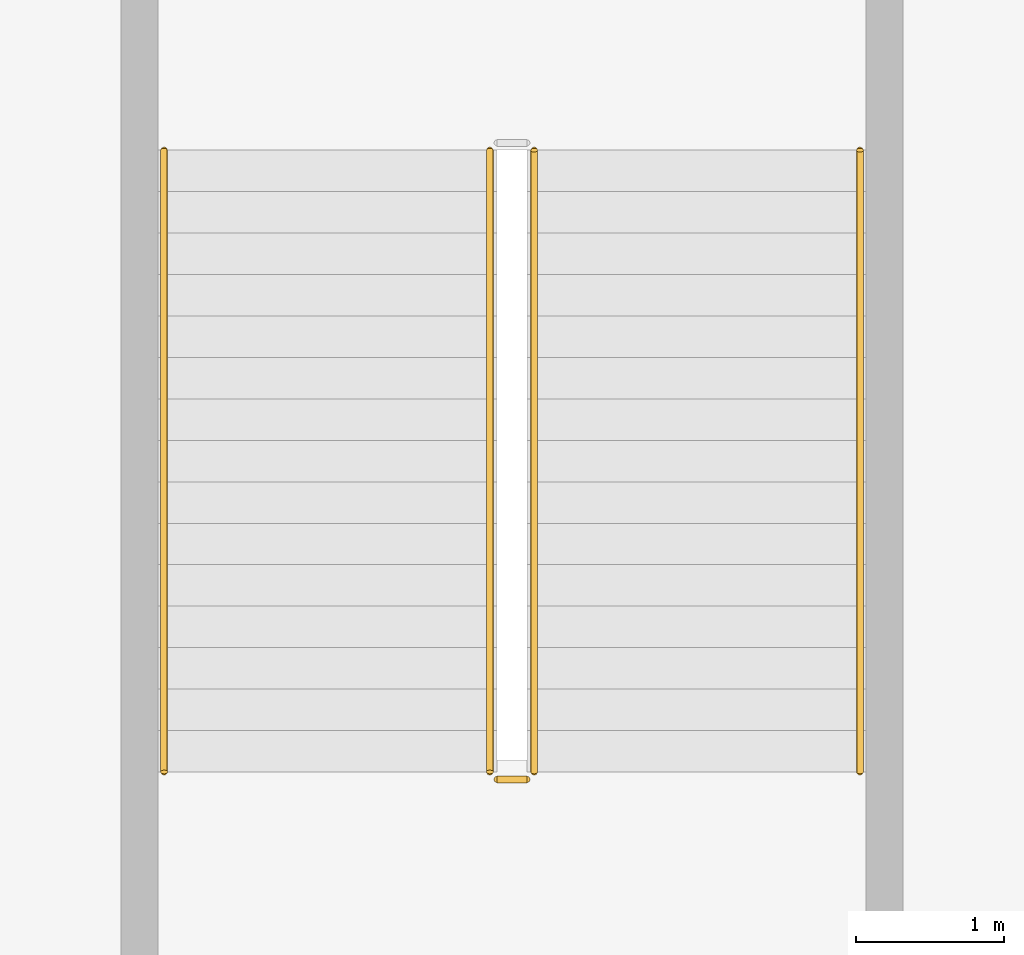
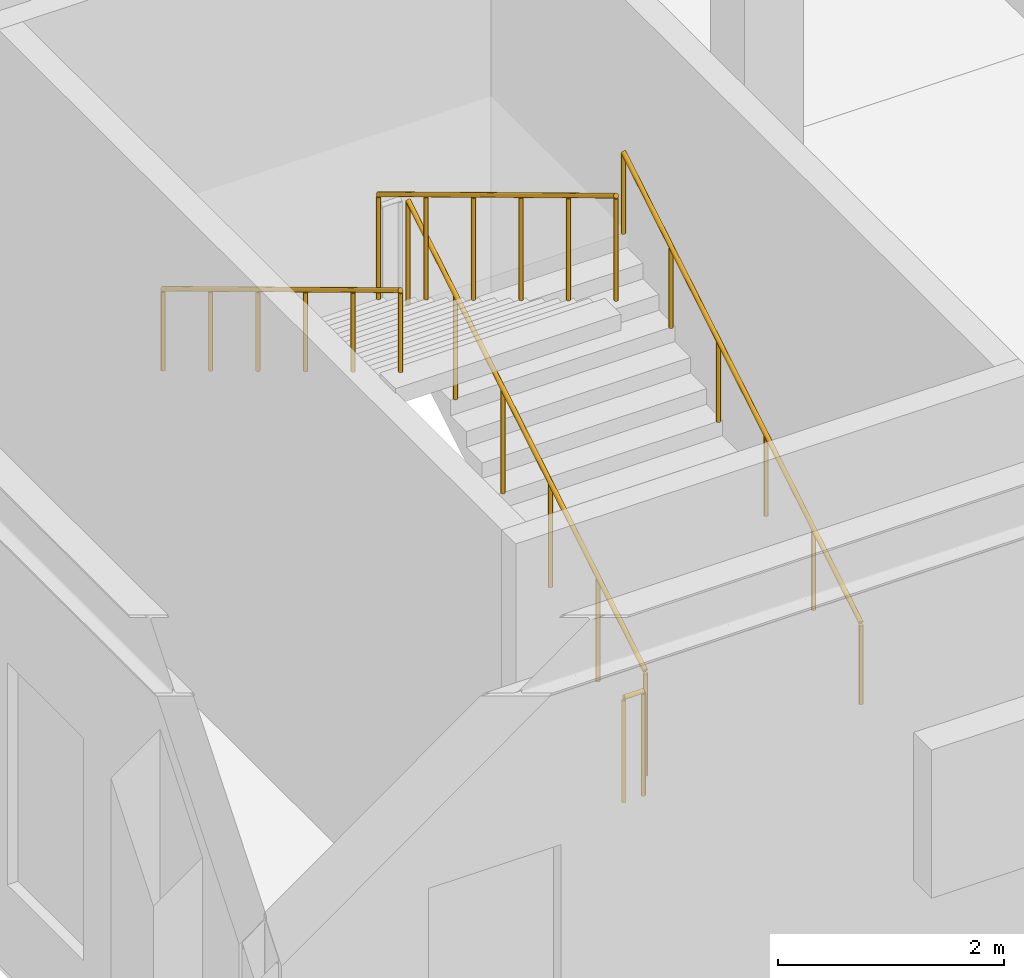
# One storey, part 94 of 105: 5 railings.
"""IFC4 building model written with IfcOpenShell, lengths in metres."""

from ifc_helpers import new_model, si_unit, direction, frame, origin, origin_2d, place, context, subcontext, project, spatial, circle, extrude, material, layer, layer_set, type_object, element, save


model = new_model("IFC4")

# Units and contexts
model_context = context("Model", 3, precision=1e-05, world=origin(), true_north=direction((0.0, 1.0)))
body_context = subcontext(model_context, "Body", "Model", "MODEL_VIEW")
ifc_project = project(units=[si_unit("LENGTHUNIT", "METRE"), si_unit("AREAUNIT", "SQUARE_METRE"), si_unit("VOLUMEUNIT", "CUBIC_METRE"), si_unit("PLANEANGLEUNIT", "RADIAN"), si_unit("MASSUNIT", "GRAM", prefix="KILO")], contexts=[model_context])

# Site, building, storey
site_placement = place(None, origin())
site = spatial("IfcSite", under=ifc_project, at=site_placement, CompositionType="ELEMENT")
building_placement = place(site_placement, origin())
building = spatial("IfcBuilding", under=site, at=building_placement, Name="Kazenohara Klinker Stadium", CompositionType="ELEMENT")
storey_placement = place(building_placement, frame((0.0, 0.0, 20.39990234375)))
storey = spatial("IfcBuildingStorey", under=building, at=storey_placement, Name="L04", CompositionType="ELEMENT", Elevation=20.39990234375)

# Railings
ifc_material_1 = material(Name="Brushed stainless steel 304 handrail", Category="steel")
ifc_layer_1 = layer(ifc_material_1, 0.050048828125)
ifc_layer_set_1 = layer_set([ifc_layer_1], Name="Brushed stainless steel 304 handrail")
railing_type_1 = type_object("IfcRailingType", Name="RL-HND-900", PredefinedType="HANDRAIL", material=ifc_layer_set_1)
railing_1_placement = place(storey_placement, frame((8.35009765625, 135.840087890625, 0.1689453125)))
element("IfcRailing", 1, at=railing_1_placement, inside=storey, type_object=railing_type_1, Name="L04 ST05 stair handrail 1", PredefinedType="HANDRAIL", context=body_context, shape_type="SweptSolid", body=[
    extrude(circle(Radius=0.02392578125, at=origin_2d()), frame((0.0, 0.0, 0.8759765625), z_axis=(0.0, 0.856476492594, 0.516186030065), x_axis=(-1.0, 0.0, 0.0)), (0.0, 0.0, 1.0), 4.90380859375),
    extrude(circle(Radius=0.02099609375, at=origin_2d()), origin(), (0.0, 0.0, 1.0), 0.851806640625),
    extrude(circle(Radius=0.02099609375, at=origin_2d()), frame((0.0, 0.840087890625, 0.50634765625)), (0.0, 0.0, 1.0), 0.851806640625),
    extrude(circle(Radius=0.02099609375, at=origin_2d()), frame((0.0, 1.679931640625, 1.012451171875)), (0.0, 0.0, 1.0), 0.851806640625),
    extrude(circle(Radius=0.02099609375, at=origin_2d()), frame((0.0, 2.52001953125, 1.518798828125)), (0.0, 0.0, 1.0), 0.851806640625),
    extrude(circle(Radius=0.02099609375, at=origin_2d()), frame((0.0, 3.35986328125, 2.02490234375)), (0.0, 0.0, 1.0), 0.851806640625),
    extrude(circle(Radius=0.02099609375, at=origin_2d()), frame((0.0, 4.199951171875, 2.53125)), (0.0, 0.0, 1.0), 0.851806640625),
])
railing_2_placement = place(storey_placement, frame((3.64990234375, 140.0400390625, 2.868896484375)))
element("IfcRailing", 2, at=railing_2_placement, inside=storey, type_object=railing_type_1, Name="L04 ST05 stair handrail 2", PredefinedType="HANDRAIL", context=body_context, shape_type="SweptSolid", body=[
    extrude(circle(Radius=0.02392578125, at=origin_2d()), frame((0.0, 0.0, 0.8759765625), z_axis=(0.0, -0.856476492594, 0.516186030065), x_axis=(1.0, 0.0, 0.0)), (0.0, 0.0, 1.0), 4.90380859375),
    extrude(circle(Radius=0.02099609375, at=origin_2d()), origin(), (0.0, 0.0, 1.0), 0.851806640625),
    extrude(circle(Radius=0.02099609375, at=origin_2d()), frame((0.0, -0.840087890625, 0.50634765625)), (0.0, 0.0, 1.0), 0.851806640625),
    extrude(circle(Radius=0.02099609375, at=origin_2d()), frame((0.0, -1.679931640625, 1.012451171875)), (0.0, 0.0, 1.0), 0.851806640625),
    extrude(circle(Radius=0.02099609375, at=origin_2d()), frame((0.0, -2.52001953125, 1.518798828125)), (0.0, 0.0, 1.0), 0.851806640625),
    extrude(circle(Radius=0.02099609375, at=origin_2d()), frame((0.0, -3.35986328125, 2.02490234375)), (0.0, 0.0, 1.0), 0.851806640625),
    extrude(circle(Radius=0.02099609375, at=origin_2d()), frame((0.0, -4.199951171875, 2.53125)), (0.0, 0.0, 1.0), 0.851806640625),
])
ifc_material_2 = material(Name="Painted steel stairwell guardrail", Category="steel")
ifc_layer_2 = layer(ifc_material_2, 0.06005859375)
ifc_layer_set_2 = layer_set([ifc_layer_2], Name="Painted steel stairwell guardrail")
railing_type_2 = type_object("IfcRailingType", Name="RL-STG-1120", PredefinedType="GUARDRAIL", material=ifc_layer_set_2)
railing_3_placement = place(storey_placement, frame((6.14990234375, 135.840087890625, 0.1689453125)))
element("IfcRailing", 3, at=railing_3_placement, inside=storey, type_object=railing_type_2, Name="L04 ST05 stair guard 1", PredefinedType="GUARDRAIL", context=body_context, shape_type="SweptSolid", body=[
    extrude(circle(Radius=0.02392578125, at=origin_2d()), frame((0.0, 0.0, 1.1259765625), z_axis=(0.0, 0.856476492594, 0.516186030065), x_axis=(-1.0, 0.0, 0.0)), (0.0, 0.0, 1.0), 4.90380859375),
    extrude(circle(Radius=0.02099609375, at=origin_2d()), origin(), (0.0, 0.0, 1.0), 1.101806640625),
    extrude(circle(Radius=0.02099609375, at=origin_2d()), frame((0.0, 0.840087890625, 0.50634765625)), (0.0, 0.0, 1.0), 1.101806640625),
    extrude(circle(Radius=0.02099609375, at=origin_2d()), frame((0.0, 1.679931640625, 1.012451171875)), (0.0, 0.0, 1.0), 1.101806640625),
    extrude(circle(Radius=0.02099609375, at=origin_2d()), frame((0.0, 2.52001953125, 1.518798828125)), (0.0, 0.0, 1.0), 1.101806640625),
    extrude(circle(Radius=0.02099609375, at=origin_2d()), frame((0.0, 3.35986328125, 2.02490234375)), (0.0, 0.0, 1.0), 1.101806640625),
    extrude(circle(Radius=0.02099609375, at=origin_2d()), frame((0.0, 4.199951171875, 2.53125)), (0.0, 0.0, 1.0), 1.101806640625),
])
railing_4_placement = place(storey_placement, frame((5.85009765625, 140.0400390625, 2.868896484375)))
element("IfcRailing", 4, at=railing_4_placement, inside=storey, type_object=railing_type_2, Name="L04 ST05 stair guard 3", PredefinedType="GUARDRAIL", context=body_context, shape_type="SweptSolid", body=[
    extrude(circle(Radius=0.02392578125, at=origin_2d()), frame((0.0, 0.0, 1.1259765625), z_axis=(0.0, -0.856476492594, 0.516186030065), x_axis=(1.0, 0.0, 0.0)), (0.0, 0.0, 1.0), 4.90380859375),
    extrude(circle(Radius=0.02099609375, at=origin_2d()), origin(), (0.0, 0.0, 1.0), 1.101806640625),
    extrude(circle(Radius=0.02099609375, at=origin_2d()), frame((0.0, -0.840087890625, 0.50634765625)), (0.0, 0.0, 1.0), 1.101806640625),
    extrude(circle(Radius=0.02099609375, at=origin_2d()), frame((0.0, -1.679931640625, 1.012451171875)), (0.0, 0.0, 1.0), 1.101806640625),
    extrude(circle(Radius=0.02099609375, at=origin_2d()), frame((0.0, -2.52001953125, 1.518798828125)), (0.0, 0.0, 1.0), 1.101806640625),
    extrude(circle(Radius=0.02099609375, at=origin_2d()), frame((0.0, -3.35986328125, 2.02490234375)), (0.0, 0.0, 1.0), 1.101806640625),
    extrude(circle(Radius=0.02099609375, at=origin_2d()), frame((0.0, -4.199951171875, 2.53125)), (0.0, 0.0, 1.0), 1.101806640625),
])
railing_5_placement = place(storey_placement, frame((6.10009765625, 135.7900390625, 0.0)))
element("IfcRailing", 5, at=railing_5_placement, inside=storey, type_object=railing_type_2, Name="L04 ST05 stair guard 4", PredefinedType="GUARDRAIL", context=body_context, shape_type="SweptSolid", body=[
    extrude(circle(Radius=0.02392578125, at=origin_2d()), frame((0.0, 0.0, 1.1259765625), z_axis=(-1.0, 0.0, 0.0), x_axis=(0.0, -1.0, 0.0)), (0.0, 0.0, 1.0), 0.2001953125),
    extrude(circle(Radius=0.02099609375, at=origin_2d()), origin(), (0.0, 0.0, 1.0), 1.101806640625),
    extrude(circle(Radius=0.02099609375, at=origin_2d()), frame((-0.2001953125, 0.0, 0.0)), (0.0, 0.0, 1.0), 1.101806640625),
])

save(model, "model.ifc")
